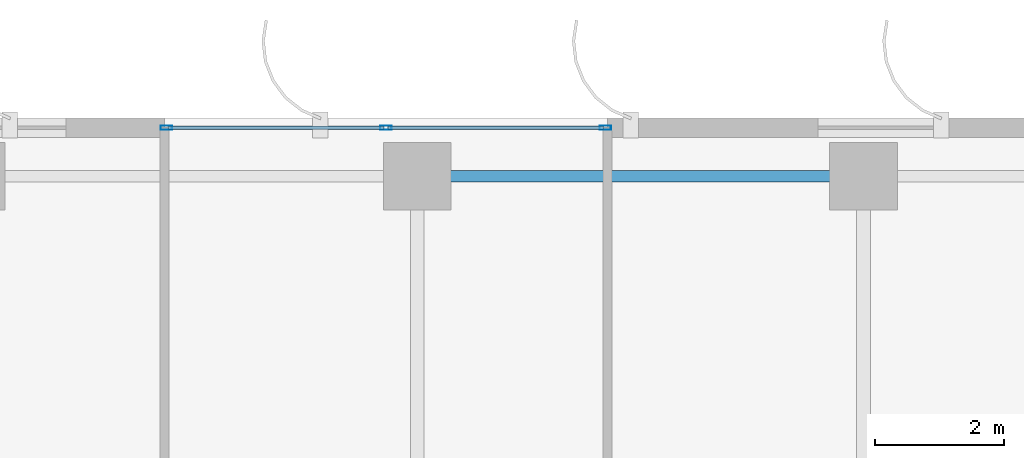
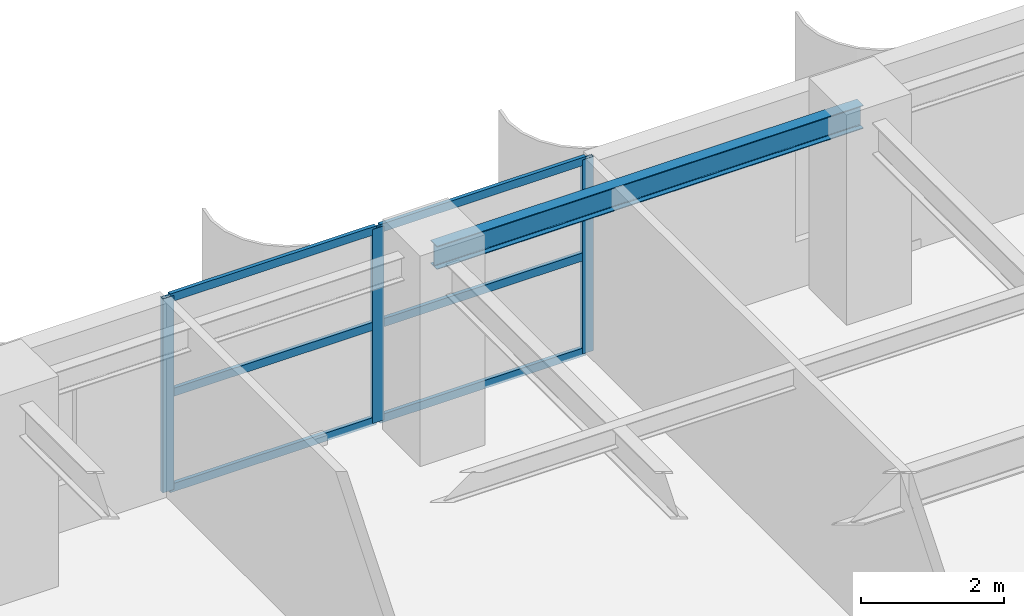
# One storey, part 14 of 22: 9 members, 1 beam, 1 element without a shape of its own.
"""IFC4 building model written with IfcOpenShell, lengths in metres."""

from ifc_helpers import new_model, si_unit, direction, frame, origin, origin_2d, place, context, subcontext, project, spatial, hollow_rectangle, i_section, extrude, source, transform, mapped, material, layer, layer_set, material_profile, profile_set, type_object, element, aggregate, save


model = new_model("IFC4")

# Units and contexts
model_context = context("Model", 3, precision=1e-05, world=origin(), true_north=direction((0.0, 1.0)))
body_context = subcontext(model_context, "Body", "Model", "MODEL_VIEW")
ifc_project = project(units=[si_unit("LENGTHUNIT", "METRE"), si_unit("AREAUNIT", "SQUARE_METRE"), si_unit("VOLUMEUNIT", "CUBIC_METRE"), si_unit("PLANEANGLEUNIT", "RADIAN"), si_unit("MASSUNIT", "GRAM", prefix="KILO")], contexts=[model_context])

# Site, building, storey
site_placement = place(None, origin())
site = spatial("IfcSite", under=ifc_project, at=site_placement, CompositionType="ELEMENT")
building_placement = place(site_placement, origin())
building = spatial("IfcBuilding", under=site, at=building_placement, Name="Khoralis Quay Care Tower", CompositionType="ELEMENT")
storey_placement = place(building_placement, frame((0.0, 0.0, 141.300048828125)))
storey = spatial("IfcBuildingStorey", under=building, at=storey_placement, Name="L37", CompositionType="ELEMENT", Elevation=141.300048828125)

# Beam
ifc_material_1 = material(Name="Steel S355", Category="steel")
ifc_material_profile_1 = material_profile(ifc_material_1, i_section(OverallWidth=0.179931640625, OverallDepth=0.39990234375, WebThickness=0.008544921875, FlangeThickness=0.013427734375, FilletRadius=0.02099609375, at=origin_2d()), Name="Steel S355")
ifc_profile_set_1 = profile_set([ifc_material_profile_1], Name="Steel S355")
beam_type = type_object("IfcBeamType", Name="BM-IPE400", PredefinedType="SPANDREL", material=ifc_profile_set_1)
shared_shape_1 = source(origin(), body_context, "Body", "SweptSolid", [
    extrude(i_section(OverallWidth=0.179931640625, OverallDepth=0.39990234375, WebThickness=0.008544921875, FlangeThickness=0.013427734375, FilletRadius=0.02099609375, at=origin_2d()), origin(), (0.0, 0.0, 1.0), 6.89990234375),
])
beam_placement = place(storey_placement, frame((24.0, 44.10009765625, 3.119873046875), z_axis=(1.0, 0.0, 0.0), x_axis=(0.0, 1.0, 0.0)))
element("IfcBeam", 1, at=beam_placement, inside=storey, type_object=beam_type, Name="BM-TSP-L37-09", PredefinedType="SPANDREL", context=body_context, shape_type="MappedRepresentation", body=[
    mapped(shared_shape_1, transform((0.0, 0.0, 0.0), scale=1.0)),
])

# Curtain wall, members
ifc_material_2 = material(Name="Pale anodised aluminium", Category="aluminium")
ifc_layer = layer(ifc_material_2, 0.169921875)
ifc_layer_set = layer_set([ifc_layer], Name="Pale anodised aluminium")
curtain_wall_type = type_object("IfcCurtainWallType", Name="CW-SYS-Z2", PredefinedType="NOTDEFINED", material=ifc_layer_set)
curtain_wall_placement = place(storey_placement, origin())
curtain_wall = element("IfcCurtainWall", 2, at=curtain_wall_placement, inside=storey, type_object=curtain_wall_type, Name="L37 Unitised Curtain Wall CW-L37-P1-E10", PredefinedType="NOTDEFINED")
ifc_material_profile_2 = material_profile(ifc_material_2, hollow_rectangle(XDim=0.06494140625, YDim=0.179931640625, WallThickness=0.00390625, at=origin_2d()), Name="Pale anodised aluminium")
ifc_profile_set_2 = profile_set([ifc_material_profile_2], Name="Pale anodised aluminium")
member_type_1 = type_object("IfcMemberType", Name="CW-MUL-180", PredefinedType="MULLION", material=ifc_profile_set_2)
shared_shape_2 = source(origin(), body_context, "Body", "SweptSolid", [
    extrude(hollow_rectangle(XDim=0.06494140625, YDim=0.179931640625, WallThickness=0.00390625, at=origin_2d()), origin(), (0.0, 0.0, 1.0), 3.320068359375),
])
member_1_placement = place(storey_placement, frame((26.909912109375, 44.85009765625, 0.0), z_axis=(0.0, 0.0, 1.0), x_axis=(0.0, -1.0, 0.0)))
member_1 = element("IfcMember", 3, at=member_1_placement, type_object=member_type_1, Name="CW2 mullion 1", PredefinedType="MULLION", context=body_context, shape_type="MappedRepresentation", body=[
    mapped(shared_shape_2, transform((0.0, 0.0, 0.0), scale=1.0)),
])
member_2_placement = place(storey_placement, frame((23.514892578125, 44.85009765625, 0.0), z_axis=(0.0, 0.0, 1.0), x_axis=(0.0, -1.0, 0.0)))
member_2 = element("IfcMember", 4, at=member_2_placement, type_object=member_type_1, Name="CW2 mullion 2", PredefinedType="MULLION", context=body_context, shape_type="MappedRepresentation", body=[
    mapped(shared_shape_2, transform((0.0, 0.0, 0.0), scale=1.0)),
])
member_3_placement = place(storey_placement, frame((20.1201171875, 44.85009765625, 0.0), z_axis=(0.0, 0.0, 1.0), x_axis=(0.0, -1.0, 0.0)))
member_3 = element("IfcMember", 5, at=member_3_placement, type_object=member_type_1, Name="CW2 mullion 3", PredefinedType="MULLION", context=body_context, shape_type="MappedRepresentation", body=[
    mapped(shared_shape_2, transform((0.0, 0.0, 0.0), scale=1.0)),
])
ifc_material_profile_3 = material_profile(ifc_material_2, hollow_rectangle(XDim=0.06005859375, YDim=0.139892578125, WallThickness=0.00390625, at=origin_2d()), Name="Pale anodised aluminium")
ifc_profile_set_3 = profile_set([ifc_material_profile_3], Name="Pale anodised aluminium")
member_type_2 = type_object("IfcMemberType", Name="CW-TRN-140", PredefinedType="USERDEFINED", material=ifc_profile_set_3)
shared_shape_3 = source(origin(), body_context, "Body", "SweptSolid", [
    extrude(hollow_rectangle(XDim=0.06005859375, YDim=0.139892578125, WallThickness=0.00390625, at=origin_2d()), origin(), (0.0, 0.0, 1.0), 3.3349609375),
])
member_4_placement = place(storey_placement, frame((26.8798828125, 44.85009765625, 0.030029296875), z_axis=(-1.0, 0.0, 0.0), x_axis=(0.0, -1.0, 0.0)))
member_4 = element("IfcMember", 6, at=member_4_placement, type_object=member_type_2, Name="CW2 transom 1.1", ObjectType="TRANSOM", PredefinedType="USERDEFINED", context=body_context, shape_type="MappedRepresentation", body=[
    mapped(shared_shape_3, transform((0.0, 0.0, 0.0), scale=1.0)),
])
member_5_placement = place(storey_placement, frame((26.8798828125, 44.85009765625, 1.659912109375), z_axis=(-1.0, 0.0, 0.0), x_axis=(0.0, -1.0, 0.0)))
member_5 = element("IfcMember", 7, at=member_5_placement, type_object=member_type_2, Name="CW2 transom 1.2", ObjectType="TRANSOM", PredefinedType="USERDEFINED", context=body_context, shape_type="MappedRepresentation", body=[
    mapped(shared_shape_3, transform((0.0, 0.0, 0.0), scale=1.0)),
])
member_6_placement = place(storey_placement, frame((26.8798828125, 44.85009765625, 3.2900390625), z_axis=(-1.0, 0.0, 0.0), x_axis=(0.0, -1.0, 0.0)))
member_6 = element("IfcMember", 8, at=member_6_placement, type_object=member_type_2, Name="CW2 transom 1.3", ObjectType="TRANSOM", PredefinedType="USERDEFINED", context=body_context, shape_type="MappedRepresentation", body=[
    mapped(shared_shape_3, transform((0.0, 0.0, 0.0), scale=1.0)),
])
shared_shape_4 = source(origin(), body_context, "Body", "SweptSolid", [
    extrude(hollow_rectangle(XDim=0.06005859375, YDim=0.139892578125, WallThickness=0.00390625, at=origin_2d()), origin(), (0.0, 0.0, 1.0), 3.335205078125),
])
member_7_placement = place(storey_placement, frame((23.485107421875, 44.85009765625, 0.030029296875), z_axis=(-1.0, 0.0, 0.0), x_axis=(0.0, -1.0, 0.0)))
member_7 = element("IfcMember", 9, at=member_7_placement, type_object=member_type_2, Name="CW2 transom 2.1", ObjectType="TRANSOM", PredefinedType="USERDEFINED", context=body_context, shape_type="MappedRepresentation", body=[
    mapped(shared_shape_4, transform((0.0, 0.0, 0.0), scale=1.0)),
])
member_8_placement = place(storey_placement, frame((23.485107421875, 44.85009765625, 1.659912109375), z_axis=(-1.0, 0.0, 0.0), x_axis=(0.0, -1.0, 0.0)))
member_8 = element("IfcMember", 10, at=member_8_placement, type_object=member_type_2, Name="CW2 transom 2.2", ObjectType="TRANSOM", PredefinedType="USERDEFINED", context=body_context, shape_type="MappedRepresentation", body=[
    mapped(shared_shape_4, transform((0.0, 0.0, 0.0), scale=1.0)),
])
member_9_placement = place(storey_placement, frame((23.485107421875, 44.85009765625, 3.2900390625), z_axis=(-1.0, 0.0, 0.0), x_axis=(0.0, -1.0, 0.0)))
member_9 = element("IfcMember", 11, at=member_9_placement, type_object=member_type_2, Name="CW2 transom 2.3", ObjectType="TRANSOM", PredefinedType="USERDEFINED", context=body_context, shape_type="MappedRepresentation", body=[
    mapped(shared_shape_4, transform((0.0, 0.0, 0.0), scale=1.0)),
])
aggregate(curtain_wall, [member_1, member_2, member_3, member_4, member_5, member_6, member_7, member_8, member_9])

save(model, "model.ifc")
